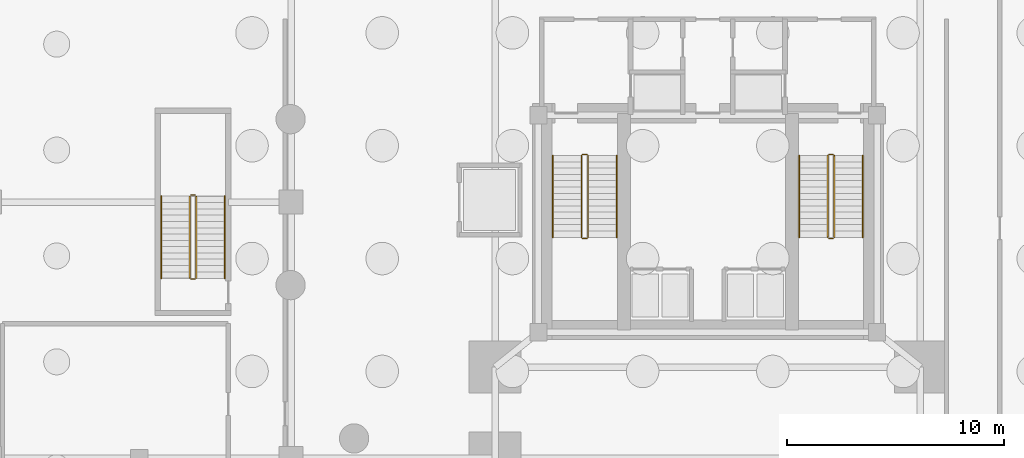
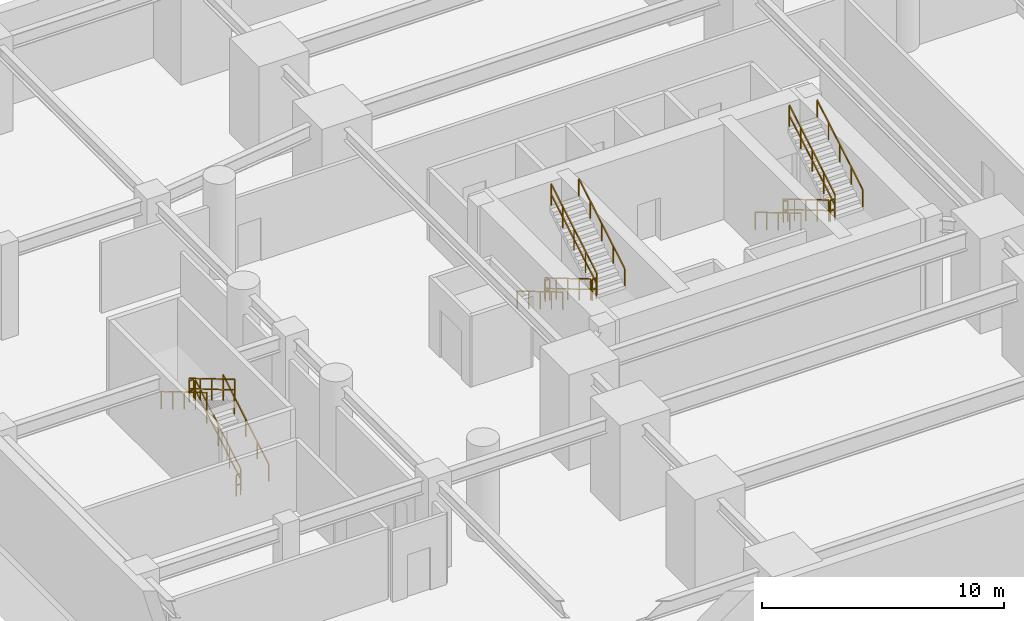
# One storey, part 6 of 8: 18 railings.
"""IFC4 building model written with IfcOpenShell, lengths in metres."""

from ifc_helpers import new_model, si_unit, direction, frame, origin, origin_2d, place, context, subcontext, project, spatial, rectangle, extrude, material, type_object, element, save


model = new_model("IFC4")

# Units and contexts
model_context = context("Model", 3, precision=1e-05, world=origin(), true_north=direction((0.0, 1.0)))
body_context = subcontext(model_context, "Body", "Model", "MODEL_VIEW")
ifc_project = project(units=[si_unit("LENGTHUNIT", "METRE"), si_unit("AREAUNIT", "SQUARE_METRE"), si_unit("VOLUMEUNIT", "CUBIC_METRE"), si_unit("PLANEANGLEUNIT", "RADIAN"), si_unit("MASSUNIT", "GRAM", prefix="KILO"), si_unit("THERMODYNAMICTEMPERATUREUNIT", "KELVIN"), si_unit("POWERUNIT", "WATT")], contexts=[model_context])

# Site, building, storey
site_placement = place(None, origin())
site = spatial("IfcSite", under=ifc_project, at=site_placement, CompositionType="ELEMENT")
building_placement = place(site_placement, origin())
building = spatial("IfcBuilding", under=site, at=building_placement, Name="Ocrelia Relay Tower", CompositionType="ELEMENT")
storey_placement = place(building_placement, frame((0.0, 0.0, -9.60009765625)))
storey = spatial("IfcBuildingStorey", under=building, at=storey_placement, Name="B2", CompositionType="ELEMENT", Elevation=-9.60009765625)

# Railings
ifc_material_1 = material(Name="Steel S355 balustrade", Category="steel")
railing_type_1 = type_object("IfcRailingType", Name="RL-STAIR-GUARD", PredefinedType="GUARDRAIL", material=ifc_material_1)
railing_1_placement = place(storey_placement, frame((28.179931640625, 28.14990234375, 0.171630859375)))
element("IfcRailing", 1, at=railing_1_placement, inside=storey, type_object=railing_type_1, Name="B2 ST1 stair guard 1", PredefinedType="GUARDRAIL", context=body_context, shape_type="SweptSolid", body=[
    extrude(rectangle(XDim=0.048095703125, YDim=0.048095703125, at=origin_2d()), frame((0.0, 0.0, 1.076171875), z_axis=(0.0, -0.860848830602, 0.508860777473), x_axis=(1.0, 0.0, 0.0)), (0.0, 0.0, 1.0), 4.37939453125),
    extrude(rectangle(XDim=0.048095703125, YDim=0.048095703125, at=origin_2d()), frame((0.0, 0.0, 0.550048828125), z_axis=(0.0, -0.860848830602, 0.508860777473), x_axis=(1.0, 0.0, 0.0)), (0.0, 0.0, 1.0), 4.37939453125),
    extrude(rectangle(XDim=0.0419921875, YDim=0.0419921875, at=origin_2d()), origin(), (0.0, 0.0, 1.0), 1.052001953125),
    extrude(rectangle(XDim=0.0419921875, YDim=0.0419921875, at=origin_2d()), frame((0.0, -0.9423828125, 0.55712890625)), (0.0, 0.0, 1.0), 1.052001953125),
    extrude(rectangle(XDim=0.0419921875, YDim=0.0419921875, at=origin_2d()), frame((0.0, -1.885009765625, 1.1142578125)), (0.0, 0.0, 1.0), 1.052001953125),
    extrude(rectangle(XDim=0.0419921875, YDim=0.0419921875, at=origin_2d()), frame((0.0, -2.82763671875, 1.67138671875)), (0.0, 0.0, 1.0), 1.052001953125),
    extrude(rectangle(XDim=0.0419921875, YDim=0.0419921875, at=origin_2d()), frame((0.0, -3.77001953125, 2.228515625)), (0.0, 0.0, 1.0), 1.052001953125),
])
railing_2_placement = place(storey_placement, frame((28.22998046875, 24.330078125, 2.400146484375)))
element("IfcRailing", 2, at=railing_2_placement, inside=storey, type_object=railing_type_1, Name="B2 ST1 stair guard 2", PredefinedType="GUARDRAIL", context=body_context, shape_type="SweptSolid", body=[
    extrude(rectangle(XDim=0.048095703125, YDim=0.048095703125, at=origin_2d()), frame((0.0, 0.0, 1.076171875), z_axis=(1.0, 0.0, 0.0), x_axis=(0.0, 1.0, 0.0)), (0.0, 0.0, 1.0), 0.199951171875),
    extrude(rectangle(XDim=0.048095703125, YDim=0.048095703125, at=origin_2d()), frame((0.0, 0.0, 0.550048828125), z_axis=(1.0, 0.0, 0.0), x_axis=(0.0, 1.0, 0.0)), (0.0, 0.0, 1.0), 0.199951171875),
    extrude(rectangle(XDim=0.0419921875, YDim=0.0419921875, at=origin_2d()), origin(), (0.0, 0.0, 1.0), 1.052001953125),
    extrude(rectangle(XDim=0.0419921875, YDim=0.0419921875, at=origin_2d()), frame((0.199951171875, 0.0, 0.0)), (0.0, 0.0, 1.0), 1.052001953125),
])
railing_3_placement = place(storey_placement, frame((28.47998046875, 24.3798828125, 2.571533203125)))
element("IfcRailing", 3, at=railing_3_placement, inside=storey, type_object=railing_type_1, Name="B2 ST1 stair guard 3", PredefinedType="GUARDRAIL", context=body_context, shape_type="SweptSolid", body=[
    extrude(rectangle(XDim=0.048095703125, YDim=0.048095703125, at=origin_2d()), frame((0.0, 0.0, 1.076171875), z_axis=(0.0, 0.860848830602, 0.508860777473), x_axis=(-1.0, 0.0, 0.0)), (0.0, 0.0, 1.0), 4.37939453125),
    extrude(rectangle(XDim=0.048095703125, YDim=0.048095703125, at=origin_2d()), frame((0.0, 0.0, 0.550048828125), z_axis=(0.0, 0.860848830602, 0.508860777473), x_axis=(-1.0, 0.0, 0.0)), (0.0, 0.0, 1.0), 4.37939453125),
    extrude(rectangle(XDim=0.0419921875, YDim=0.0419921875, at=origin_2d()), origin(), (0.0, 0.0, 1.0), 1.052001953125),
    extrude(rectangle(XDim=0.0419921875, YDim=0.0419921875, at=origin_2d()), frame((0.0, 0.9423828125, 0.55712890625)), (0.0, 0.0, 1.0), 1.052001953125),
    extrude(rectangle(XDim=0.0419921875, YDim=0.0419921875, at=origin_2d()), frame((0.0, 1.885009765625, 1.1142578125)), (0.0, 0.0, 1.0), 1.052001953125),
    extrude(rectangle(XDim=0.0419921875, YDim=0.0419921875, at=origin_2d()), frame((0.0, 2.82763671875, 1.67138671875)), (0.0, 0.0, 1.0), 1.052001953125),
    extrude(rectangle(XDim=0.0419921875, YDim=0.0419921875, at=origin_2d()), frame((0.0, 3.77001953125, 2.228515625)), (0.0, 0.0, 1.0), 1.052001953125),
])
railing_4_placement = place(storey_placement, frame((28.22998046875, 28.199951171875, 0.0)))
element("IfcRailing", 4, at=railing_4_placement, inside=storey, type_object=railing_type_1, Name="B2 ST1 stair guard 4", PredefinedType="GUARDRAIL", context=body_context, shape_type="SweptSolid", body=[
    extrude(rectangle(XDim=0.048095703125, YDim=0.048095703125, at=origin_2d()), frame((0.0, 0.0, 1.076171875), z_axis=(1.0, 0.0, 0.0), x_axis=(0.0, 1.0, 0.0)), (0.0, 0.0, 1.0), 0.199951171875),
    extrude(rectangle(XDim=0.048095703125, YDim=0.048095703125, at=origin_2d()), frame((0.0, 0.0, 0.550048828125), z_axis=(1.0, 0.0, 0.0), x_axis=(0.0, 1.0, 0.0)), (0.0, 0.0, 1.0), 0.199951171875),
    extrude(rectangle(XDim=0.0419921875, YDim=0.0419921875, at=origin_2d()), origin(), (0.0, 0.0, 1.0), 1.052001953125),
    extrude(rectangle(XDim=0.0419921875, YDim=0.0419921875, at=origin_2d()), frame((0.199951171875, 0.0, 0.0)), (0.0, 0.0, 1.0), 1.052001953125),
])
railing_5_placement = place(storey_placement, frame((39.530029296875, 28.14990234375, 0.171630859375)))
element("IfcRailing", 5, at=railing_5_placement, inside=storey, type_object=railing_type_1, Name="B2 ST2 stair guard 1", PredefinedType="GUARDRAIL", context=body_context, shape_type="SweptSolid", body=[
    extrude(rectangle(XDim=0.048095703125, YDim=0.048095703125, at=origin_2d()), frame((0.0, 0.0, 1.076171875), z_axis=(0.0, -0.860848830602, 0.508860777473), x_axis=(1.0, 0.0, 0.0)), (0.0, 0.0, 1.0), 4.37939453125),
    extrude(rectangle(XDim=0.048095703125, YDim=0.048095703125, at=origin_2d()), frame((0.0, 0.0, 0.550048828125), z_axis=(0.0, -0.860848830602, 0.508860777473), x_axis=(1.0, 0.0, 0.0)), (0.0, 0.0, 1.0), 4.37939453125),
    extrude(rectangle(XDim=0.0419921875, YDim=0.0419921875, at=origin_2d()), origin(), (0.0, 0.0, 1.0), 1.052001953125),
    extrude(rectangle(XDim=0.0419921875, YDim=0.0419921875, at=origin_2d()), frame((0.0, -0.9423828125, 0.55712890625)), (0.0, 0.0, 1.0), 1.052001953125),
    extrude(rectangle(XDim=0.0419921875, YDim=0.0419921875, at=origin_2d()), frame((0.0, -1.885009765625, 1.1142578125)), (0.0, 0.0, 1.0), 1.052001953125),
    extrude(rectangle(XDim=0.0419921875, YDim=0.0419921875, at=origin_2d()), frame((0.0, -2.82763671875, 1.67138671875)), (0.0, 0.0, 1.0), 1.052001953125),
    extrude(rectangle(XDim=0.0419921875, YDim=0.0419921875, at=origin_2d()), frame((0.0, -3.77001953125, 2.228515625)), (0.0, 0.0, 1.0), 1.052001953125),
])
railing_6_placement = place(storey_placement, frame((39.580078125, 24.330078125, 2.400146484375)))
element("IfcRailing", 6, at=railing_6_placement, inside=storey, type_object=railing_type_1, Name="B2 ST2 stair guard 2", PredefinedType="GUARDRAIL", context=body_context, shape_type="SweptSolid", body=[
    extrude(rectangle(XDim=0.048095703125, YDim=0.048095703125, at=origin_2d()), frame((0.0, 0.0, 1.076171875), z_axis=(1.0, 0.0, 0.0), x_axis=(0.0, 1.0, 0.0)), (0.0, 0.0, 1.0), 0.199951171875),
    extrude(rectangle(XDim=0.048095703125, YDim=0.048095703125, at=origin_2d()), frame((0.0, 0.0, 0.550048828125), z_axis=(1.0, 0.0, 0.0), x_axis=(0.0, 1.0, 0.0)), (0.0, 0.0, 1.0), 0.199951171875),
    extrude(rectangle(XDim=0.0419921875, YDim=0.0419921875, at=origin_2d()), origin(), (0.0, 0.0, 1.0), 1.052001953125),
    extrude(rectangle(XDim=0.0419921875, YDim=0.0419921875, at=origin_2d()), frame((0.199951171875, 0.0, 0.0)), (0.0, 0.0, 1.0), 1.052001953125),
])
railing_7_placement = place(storey_placement, frame((39.830078125, 24.3798828125, 2.571533203125)))
element("IfcRailing", 7, at=railing_7_placement, inside=storey, type_object=railing_type_1, Name="B2 ST2 stair guard 3", PredefinedType="GUARDRAIL", context=body_context, shape_type="SweptSolid", body=[
    extrude(rectangle(XDim=0.048095703125, YDim=0.048095703125, at=origin_2d()), frame((0.0, 0.0, 1.076171875), z_axis=(0.0, 0.860848830602, 0.508860777473), x_axis=(-1.0, 0.0, 0.0)), (0.0, 0.0, 1.0), 4.37939453125),
    extrude(rectangle(XDim=0.048095703125, YDim=0.048095703125, at=origin_2d()), frame((0.0, 0.0, 0.550048828125), z_axis=(0.0, 0.860848830602, 0.508860777473), x_axis=(-1.0, 0.0, 0.0)), (0.0, 0.0, 1.0), 4.37939453125),
    extrude(rectangle(XDim=0.0419921875, YDim=0.0419921875, at=origin_2d()), origin(), (0.0, 0.0, 1.0), 1.052001953125),
    extrude(rectangle(XDim=0.0419921875, YDim=0.0419921875, at=origin_2d()), frame((0.0, 0.9423828125, 0.55712890625)), (0.0, 0.0, 1.0), 1.052001953125),
    extrude(rectangle(XDim=0.0419921875, YDim=0.0419921875, at=origin_2d()), frame((0.0, 1.885009765625, 1.1142578125)), (0.0, 0.0, 1.0), 1.052001953125),
    extrude(rectangle(XDim=0.0419921875, YDim=0.0419921875, at=origin_2d()), frame((0.0, 2.82763671875, 1.67138671875)), (0.0, 0.0, 1.0), 1.052001953125),
    extrude(rectangle(XDim=0.0419921875, YDim=0.0419921875, at=origin_2d()), frame((0.0, 3.77001953125, 2.228515625)), (0.0, 0.0, 1.0), 1.052001953125),
])
railing_8_placement = place(storey_placement, frame((39.580078125, 28.199951171875, 0.0)))
element("IfcRailing", 8, at=railing_8_placement, inside=storey, type_object=railing_type_1, Name="B2 ST2 stair guard 4", PredefinedType="GUARDRAIL", context=body_context, shape_type="SweptSolid", body=[
    extrude(rectangle(XDim=0.048095703125, YDim=0.048095703125, at=origin_2d()), frame((0.0, 0.0, 1.076171875), z_axis=(1.0, 0.0, 0.0), x_axis=(0.0, 1.0, 0.0)), (0.0, 0.0, 1.0), 0.199951171875),
    extrude(rectangle(XDim=0.048095703125, YDim=0.048095703125, at=origin_2d()), frame((0.0, 0.0, 0.550048828125), z_axis=(1.0, 0.0, 0.0), x_axis=(0.0, 1.0, 0.0)), (0.0, 0.0, 1.0), 0.199951171875),
    extrude(rectangle(XDim=0.0419921875, YDim=0.0419921875, at=origin_2d()), origin(), (0.0, 0.0, 1.0), 1.052001953125),
    extrude(rectangle(XDim=0.0419921875, YDim=0.0419921875, at=origin_2d()), frame((0.199951171875, 0.0, 0.0)), (0.0, 0.0, 1.0), 1.052001953125),
])
railing_9_placement = place(storey_placement, frame((10.429931640625, 22.5, 0.171630859375)))
element("IfcRailing", 9, at=railing_9_placement, inside=storey, type_object=railing_type_1, Name="B2 ST3 stair guard 1", PredefinedType="GUARDRAIL", context=body_context, shape_type="SweptSolid", body=[
    extrude(rectangle(XDim=0.048095703125, YDim=0.048095703125, at=origin_2d()), frame((0.0, 0.0, 1.076171875), z_axis=(0.0, 0.860848830602, 0.508860777473), x_axis=(-1.0, 0.0, 0.0)), (0.0, 0.0, 1.0), 4.37939453125),
    extrude(rectangle(XDim=0.048095703125, YDim=0.048095703125, at=origin_2d()), frame((0.0, 0.0, 0.550048828125), z_axis=(0.0, 0.860848830602, 0.508860777473), x_axis=(-1.0, 0.0, 0.0)), (0.0, 0.0, 1.0), 4.37939453125),
    extrude(rectangle(XDim=0.0419921875, YDim=0.0419921875, at=origin_2d()), origin(), (0.0, 0.0, 1.0), 1.052001953125),
    extrude(rectangle(XDim=0.0419921875, YDim=0.0419921875, at=origin_2d()), frame((0.0, 0.9423828125, 0.55712890625)), (0.0, 0.0, 1.0), 1.052001953125),
    extrude(rectangle(XDim=0.0419921875, YDim=0.0419921875, at=origin_2d()), frame((0.0, 1.885009765625, 1.1142578125)), (0.0, 0.0, 1.0), 1.052001953125),
    extrude(rectangle(XDim=0.0419921875, YDim=0.0419921875, at=origin_2d()), frame((0.0, 2.82763671875, 1.67138671875)), (0.0, 0.0, 1.0), 1.052001953125),
    extrude(rectangle(XDim=0.0419921875, YDim=0.0419921875, at=origin_2d()), frame((0.0, 3.77001953125, 2.228515625)), (0.0, 0.0, 1.0), 1.052001953125),
])
railing_10_placement = place(storey_placement, frame((10.3798828125, 26.320068359375, 2.400146484375)))
element("IfcRailing", 10, at=railing_10_placement, inside=storey, type_object=railing_type_1, Name="B2 ST3 stair guard 2", PredefinedType="GUARDRAIL", context=body_context, shape_type="SweptSolid", body=[
    extrude(rectangle(XDim=0.048095703125, YDim=0.048095703125, at=origin_2d()), frame((0.0, 0.0, 1.076171875), z_axis=(-1.0, 0.0, 0.0), x_axis=(0.0, -1.0, 0.0)), (0.0, 0.0, 1.0), 0.199951171875),
    extrude(rectangle(XDim=0.048095703125, YDim=0.048095703125, at=origin_2d()), frame((0.0, 0.0, 0.550048828125), z_axis=(-1.0, 0.0, 0.0), x_axis=(0.0, -1.0, 0.0)), (0.0, 0.0, 1.0), 0.199951171875),
    extrude(rectangle(XDim=0.0419921875, YDim=0.0419921875, at=origin_2d()), origin(), (0.0, 0.0, 1.0), 1.052001953125),
    extrude(rectangle(XDim=0.0419921875, YDim=0.0419921875, at=origin_2d()), frame((-0.199951171875, 0.0, 0.0)), (0.0, 0.0, 1.0), 1.052001953125),
])
railing_11_placement = place(storey_placement, frame((10.1298828125, 26.27001953125, 2.571533203125)))
element("IfcRailing", 11, at=railing_11_placement, inside=storey, type_object=railing_type_1, Name="B2 ST3 stair guard 3", PredefinedType="GUARDRAIL", context=body_context, shape_type="SweptSolid", body=[
    extrude(rectangle(XDim=0.048095703125, YDim=0.048095703125, at=origin_2d()), frame((0.0, 0.0, 1.076171875), z_axis=(0.0, -0.860848830602, 0.508860777473), x_axis=(1.0, 0.0, 0.0)), (0.0, 0.0, 1.0), 4.37939453125),
    extrude(rectangle(XDim=0.048095703125, YDim=0.048095703125, at=origin_2d()), frame((0.0, 0.0, 0.550048828125), z_axis=(0.0, -0.860848830602, 0.508860777473), x_axis=(1.0, 0.0, 0.0)), (0.0, 0.0, 1.0), 4.37939453125),
    extrude(rectangle(XDim=0.0419921875, YDim=0.0419921875, at=origin_2d()), origin(), (0.0, 0.0, 1.0), 1.052001953125),
    extrude(rectangle(XDim=0.0419921875, YDim=0.0419921875, at=origin_2d()), frame((0.0, -0.9423828125, 0.55712890625)), (0.0, 0.0, 1.0), 1.052001953125),
    extrude(rectangle(XDim=0.0419921875, YDim=0.0419921875, at=origin_2d()), frame((0.0, -1.885009765625, 1.1142578125)), (0.0, 0.0, 1.0), 1.052001953125),
    extrude(rectangle(XDim=0.0419921875, YDim=0.0419921875, at=origin_2d()), frame((0.0, -2.82763671875, 1.67138671875)), (0.0, 0.0, 1.0), 1.052001953125),
    extrude(rectangle(XDim=0.0419921875, YDim=0.0419921875, at=origin_2d()), frame((0.0, -3.77001953125, 2.228515625)), (0.0, 0.0, 1.0), 1.052001953125),
])
railing_12_placement = place(storey_placement, frame((10.3798828125, 22.449951171875, 0.0)))
element("IfcRailing", 12, at=railing_12_placement, inside=storey, type_object=railing_type_1, Name="B2 ST3 stair guard 4", PredefinedType="GUARDRAIL", context=body_context, shape_type="SweptSolid", body=[
    extrude(rectangle(XDim=0.048095703125, YDim=0.048095703125, at=origin_2d()), frame((0.0, 0.0, 1.076171875), z_axis=(-1.0, 0.0, 0.0), x_axis=(0.0, -1.0, 0.0)), (0.0, 0.0, 1.0), 0.199951171875),
    extrude(rectangle(XDim=0.048095703125, YDim=0.048095703125, at=origin_2d()), frame((0.0, 0.0, 0.550048828125), z_axis=(-1.0, 0.0, 0.0), x_axis=(0.0, -1.0, 0.0)), (0.0, 0.0, 1.0), 0.199951171875),
    extrude(rectangle(XDim=0.0419921875, YDim=0.0419921875, at=origin_2d()), origin(), (0.0, 0.0, 1.0), 1.052001953125),
    extrude(rectangle(XDim=0.0419921875, YDim=0.0419921875, at=origin_2d()), frame((-0.199951171875, 0.0, 0.0)), (0.0, 0.0, 1.0), 1.052001953125),
])
ifc_material_2 = material(Name="Steel S355 tubular handrail", Category="steel")
railing_type_2 = type_object("IfcRailingType", Name="RL-STAIR-HAND", PredefinedType="HANDRAIL", material=ifc_material_2)
railing_13_placement = place(storey_placement, frame((26.860107421875, 28.14990234375, 0.171630859375)))
element("IfcRailing", 13, at=railing_13_placement, inside=storey, type_object=railing_type_2, Name="B2 ST1 stair handrail 1", PredefinedType="HANDRAIL", context=body_context, shape_type="SweptSolid", body=[
    extrude(rectangle(XDim=0.048095703125, YDim=0.048095703125, at=origin_2d()), frame((0.0, 0.0, 0.8759765625), z_axis=(0.0, -0.860848830602, 0.508860777473), x_axis=(1.0, 0.0, 0.0)), (0.0, 0.0, 1.0), 4.37939453125),
    extrude(rectangle(XDim=0.0419921875, YDim=0.0419921875, at=origin_2d()), origin(), (0.0, 0.0, 1.0), 0.851806640625),
    extrude(rectangle(XDim=0.0419921875, YDim=0.0419921875, at=origin_2d()), frame((0.0, -0.9423828125, 0.55712890625)), (0.0, 0.0, 1.0), 0.851806640625),
    extrude(rectangle(XDim=0.0419921875, YDim=0.0419921875, at=origin_2d()), frame((0.0, -1.885009765625, 1.1142578125)), (0.0, 0.0, 1.0), 0.851806640625),
    extrude(rectangle(XDim=0.0419921875, YDim=0.0419921875, at=origin_2d()), frame((0.0, -2.82763671875, 1.67138671875)), (0.0, 0.0, 1.0), 0.851806640625),
    extrude(rectangle(XDim=0.0419921875, YDim=0.0419921875, at=origin_2d()), frame((0.0, -3.77001953125, 2.228515625)), (0.0, 0.0, 1.0), 0.851806640625),
])
railing_14_placement = place(storey_placement, frame((29.800048828125, 24.3798828125, 2.571533203125)))
element("IfcRailing", 14, at=railing_14_placement, inside=storey, type_object=railing_type_2, Name="B2 ST1 stair handrail 2", PredefinedType="HANDRAIL", context=body_context, shape_type="SweptSolid", body=[
    extrude(rectangle(XDim=0.048095703125, YDim=0.048095703125, at=origin_2d()), frame((0.0, 0.0, 0.8759765625), z_axis=(0.0, 0.860848830602, 0.508860777473), x_axis=(-1.0, 0.0, 0.0)), (0.0, 0.0, 1.0), 4.37939453125),
    extrude(rectangle(XDim=0.0419921875, YDim=0.0419921875, at=origin_2d()), origin(), (0.0, 0.0, 1.0), 0.851806640625),
    extrude(rectangle(XDim=0.0419921875, YDim=0.0419921875, at=origin_2d()), frame((0.0, 0.9423828125, 0.55712890625)), (0.0, 0.0, 1.0), 0.851806640625),
    extrude(rectangle(XDim=0.0419921875, YDim=0.0419921875, at=origin_2d()), frame((0.0, 1.885009765625, 1.1142578125)), (0.0, 0.0, 1.0), 0.851806640625),
    extrude(rectangle(XDim=0.0419921875, YDim=0.0419921875, at=origin_2d()), frame((0.0, 2.82763671875, 1.67138671875)), (0.0, 0.0, 1.0), 0.851806640625),
    extrude(rectangle(XDim=0.0419921875, YDim=0.0419921875, at=origin_2d()), frame((0.0, 3.77001953125, 2.228515625)), (0.0, 0.0, 1.0), 0.851806640625),
])
railing_15_placement = place(storey_placement, frame((38.2099609375, 28.14990234375, 0.171630859375)))
element("IfcRailing", 15, at=railing_15_placement, inside=storey, type_object=railing_type_2, Name="B2 ST2 stair handrail 1", PredefinedType="HANDRAIL", context=body_context, shape_type="SweptSolid", body=[
    extrude(rectangle(XDim=0.048095703125, YDim=0.048095703125, at=origin_2d()), frame((0.0, 0.0, 0.8759765625), z_axis=(0.0, -0.860848830602, 0.508860777473), x_axis=(1.0, 0.0, 0.0)), (0.0, 0.0, 1.0), 4.37939453125),
    extrude(rectangle(XDim=0.0419921875, YDim=0.0419921875, at=origin_2d()), origin(), (0.0, 0.0, 1.0), 0.851806640625),
    extrude(rectangle(XDim=0.0419921875, YDim=0.0419921875, at=origin_2d()), frame((0.0, -0.9423828125, 0.55712890625)), (0.0, 0.0, 1.0), 0.851806640625),
    extrude(rectangle(XDim=0.0419921875, YDim=0.0419921875, at=origin_2d()), frame((0.0, -1.885009765625, 1.1142578125)), (0.0, 0.0, 1.0), 0.851806640625),
    extrude(rectangle(XDim=0.0419921875, YDim=0.0419921875, at=origin_2d()), frame((0.0, -2.82763671875, 1.67138671875)), (0.0, 0.0, 1.0), 0.851806640625),
    extrude(rectangle(XDim=0.0419921875, YDim=0.0419921875, at=origin_2d()), frame((0.0, -3.77001953125, 2.228515625)), (0.0, 0.0, 1.0), 0.851806640625),
])
for number, where, name in (
    (16, (41.14990234375, 24.3798828125, 2.571533203125), "B2 ST2 stair handrail 2"),
    (17, (11.75, 22.5, 0.171630859375), "B2 ST3 stair handrail 1"),
):
    element("IfcRailing", number, at=place(storey_placement, frame(where)), inside=storey, type_object=railing_type_2, Name=name, PredefinedType="HANDRAIL", context=body_context, shape_type="SweptSolid", body=[
        extrude(rectangle(XDim=0.048095703125, YDim=0.048095703125, at=origin_2d()), frame((0.0, 0.0, 0.8759765625), z_axis=(0.0, 0.860848830602, 0.508860777473), x_axis=(-1.0, 0.0, 0.0)), (0.0, 0.0, 1.0), 4.37939453125),
        extrude(rectangle(XDim=0.0419921875, YDim=0.0419921875, at=origin_2d()), origin(), (0.0, 0.0, 1.0), 0.851806640625),
        extrude(rectangle(XDim=0.0419921875, YDim=0.0419921875, at=origin_2d()), frame((0.0, 0.9423828125, 0.55712890625)), (0.0, 0.0, 1.0), 0.851806640625),
        extrude(rectangle(XDim=0.0419921875, YDim=0.0419921875, at=origin_2d()), frame((0.0, 1.885009765625, 1.1142578125)), (0.0, 0.0, 1.0), 0.851806640625),
        extrude(rectangle(XDim=0.0419921875, YDim=0.0419921875, at=origin_2d()), frame((0.0, 2.82763671875, 1.67138671875)), (0.0, 0.0, 1.0), 0.851806640625),
        extrude(rectangle(XDim=0.0419921875, YDim=0.0419921875, at=origin_2d()), frame((0.0, 3.77001953125, 2.228515625)), (0.0, 0.0, 1.0), 0.851806640625),
    ])
railing_16_placement = place(storey_placement, frame((8.81005859375, 26.27001953125, 2.571533203125)))
element("IfcRailing", 18, at=railing_16_placement, inside=storey, type_object=railing_type_2, Name="B2 ST3 stair handrail 2", PredefinedType="HANDRAIL", context=body_context, shape_type="SweptSolid", body=[
    extrude(rectangle(XDim=0.048095703125, YDim=0.048095703125, at=origin_2d()), frame((0.0, 0.0, 0.8759765625), z_axis=(0.0, -0.860848830602, 0.508860777473), x_axis=(1.0, 0.0, 0.0)), (0.0, 0.0, 1.0), 4.37939453125),
    extrude(rectangle(XDim=0.0419921875, YDim=0.0419921875, at=origin_2d()), origin(), (0.0, 0.0, 1.0), 0.851806640625),
    extrude(rectangle(XDim=0.0419921875, YDim=0.0419921875, at=origin_2d()), frame((0.0, -0.9423828125, 0.55712890625)), (0.0, 0.0, 1.0), 0.851806640625),
    extrude(rectangle(XDim=0.0419921875, YDim=0.0419921875, at=origin_2d()), frame((0.0, -1.885009765625, 1.1142578125)), (0.0, 0.0, 1.0), 0.851806640625),
    extrude(rectangle(XDim=0.0419921875, YDim=0.0419921875, at=origin_2d()), frame((0.0, -2.82763671875, 1.67138671875)), (0.0, 0.0, 1.0), 0.851806640625),
    extrude(rectangle(XDim=0.0419921875, YDim=0.0419921875, at=origin_2d()), frame((0.0, -3.77001953125, 2.228515625)), (0.0, 0.0, 1.0), 0.851806640625),
])

save(model, "model.ifc")
